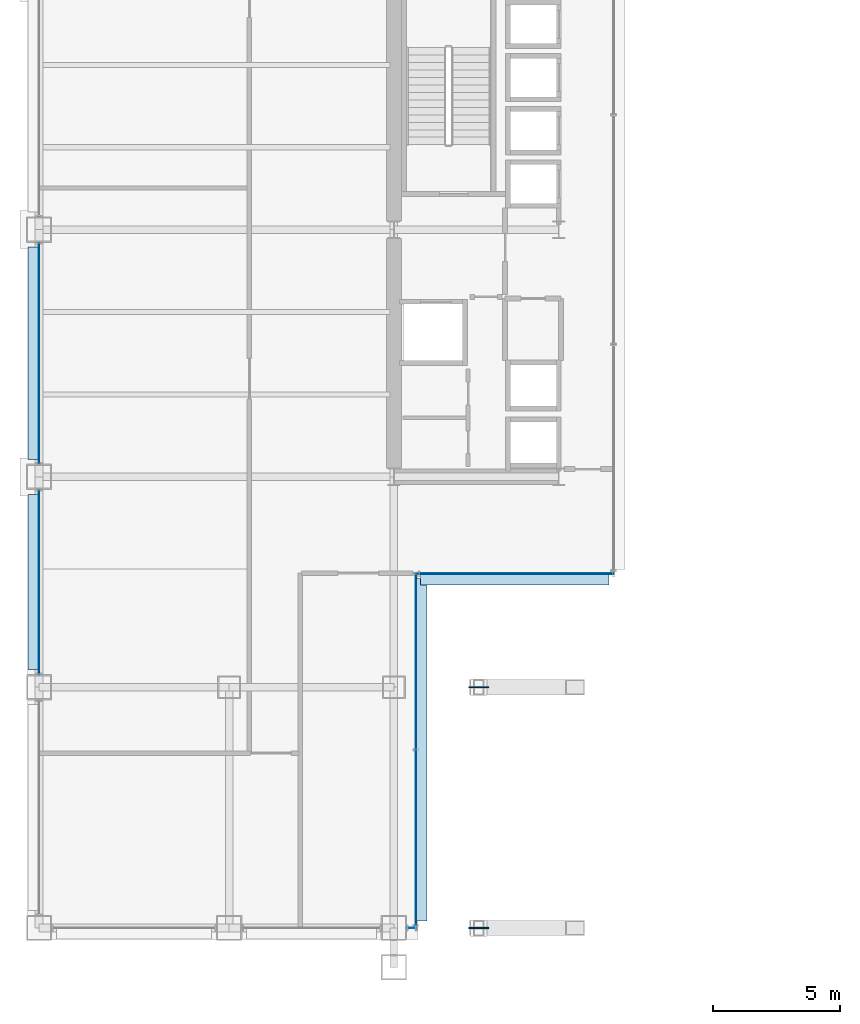
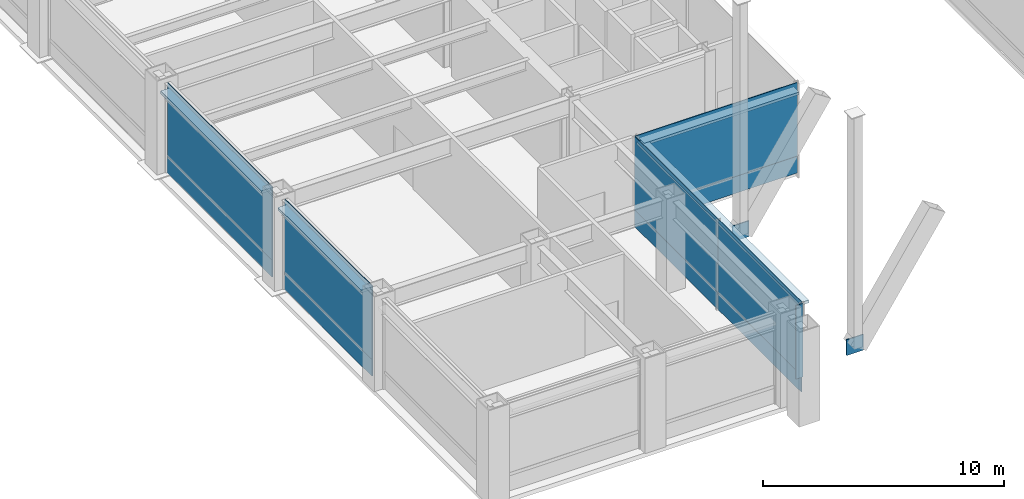
# One storey, part 27 of 40: 17 plates, 5 elements without a shape of their own.
"""IFC4 building model written with IfcOpenShell, lengths in metres."""

from ifc_helpers import new_model, si_unit, direction, frame, origin, origin_2d, place, context, subcontext, project, spatial, rectangle, extrude, material, layer, layer_set, type_object, element, aggregate, save


model = new_model("IFC4")

# Units and contexts
model_context = context("Model", 3, precision=1e-05, world=origin(), true_north=direction((0.0, 1.0)))
body_context = subcontext(model_context, "Body", "Model", "MODEL_VIEW")
ifc_project = project(units=[si_unit("LENGTHUNIT", "METRE"), si_unit("AREAUNIT", "SQUARE_METRE"), si_unit("VOLUMEUNIT", "CUBIC_METRE"), si_unit("PLANEANGLEUNIT", "RADIAN"), si_unit("MASSUNIT", "GRAM", prefix="KILO")], contexts=[model_context])

# Site, building, storey
site_placement = place(None, origin())
site = spatial("IfcSite", under=ifc_project, at=site_placement, CompositionType="ELEMENT")
building_placement = place(site_placement, origin())
building = spatial("IfcBuilding", under=site, at=building_placement, Name="Brelmoor Portico Tower", CompositionType="ELEMENT")
storey_placement = place(building_placement, frame((0.0, 0.0, 4.800048828125)))
storey = spatial("IfcBuildingStorey", under=building, at=storey_placement, Name="L01", CompositionType="ELEMENT", Elevation=4.800048828125)

# Curtain wall, plate
ifc_material_1 = material(Name="Anodised Aluminium Alloy 6063-T6", Category="aluminium")
ifc_layer_1 = layer(ifc_material_1, 0.179931640625)
ifc_layer_set_1 = layer_set([ifc_layer_1], Name="Anodised Aluminium Alloy 6063-T6")
curtain_wall_type = type_object("IfcCurtainWallType", Name="CW-PODIUM-ARCH", PredefinedType="NOTDEFINED", material=ifc_layer_set_1)
curtain_wall_1_placement = place(storey_placement, origin())
curtain_wall_1 = element("IfcCurtainWall", 1, at=curtain_wall_1_placement, inside=storey, type_object=curtain_wall_type, Name="L01 Curtain Wall CW-L01-01-3", PredefinedType="NOTDEFINED")
ifc_material_2 = material(Name="Double-Silver Low-E Insulated Glazing", Category="glass")
ifc_layer_2 = layer(ifc_material_2, 0.035888671875)
ifc_layer_set_2 = layer_set([ifc_layer_2], Name="Double-Silver Low-E Insulated Glazing")
plate_type_1 = type_object("IfcPlateType", Name="PT-CW-GLASS", PredefinedType="CURTAIN_PANEL", material=ifc_layer_set_2)
plate_1_placement = place(storey_placement, frame((-13.860107421875, -27.550048828125, 0.849853515625), z_axis=(0.0, 0.0, 1.0), x_axis=(1.0, 0.0, 0.0)))
plate_1 = element("IfcPlate", 2, at=plate_1_placement, type_object=plate_type_1, Name="CW-L01-01-3 Vision Glass Panel 00", PredefinedType="CURTAIN_PANEL", context=body_context, shape_type="SweptSolid", body=[
    extrude(rectangle(XDim=0.330078125, YDim=0.035888671875, at=origin_2d()), origin(), (0.0, 0.0, 1.0), 3.72998046875),
])
aggregate(curtain_wall_1, [plate_1])

curtain_wall_2_placement = place(storey_placement, origin())
curtain_wall_2 = element("IfcCurtainWall", 3, at=curtain_wall_2_placement, inside=storey, type_object=curtain_wall_type, Name="L01 Curtain Wall CW-L01-05-2", PredefinedType="NOTDEFINED")
plate_2_placement = place(storey_placement, frame((-28.550048828125, -13.89990234375, 0.849853515625), z_axis=(0.0, 0.0, 1.0), x_axis=(0.0, 1.0, 0.0)))
plate_2 = element("IfcPlate", 4, at=plate_2_placement, type_object=plate_type_1, Name="CW-L01-05-2 Vision Glass Panel 00", PredefinedType="CURTAIN_PANEL", context=body_context, shape_type="SweptSolid", body=[
    extrude(rectangle(XDim=7.25, YDim=0.035888671875, at=origin_2d()), origin(), (0.0, 0.0, 1.0), 3.72998046875),
])

curtain_wall_3_placement = place(storey_placement, origin())
curtain_wall_3 = element("IfcCurtainWall", 5, at=curtain_wall_3_placement, inside=storey, type_object=curtain_wall_type, Name="L01 Curtain Wall CW-L01-05-3", PredefinedType="NOTDEFINED")
plate_3_placement = place(storey_placement, frame((-28.550048828125, -4.875, 0.849853515625), z_axis=(0.0, 0.0, 1.0), x_axis=(0.0, 1.0, 0.0)))
plate_3 = element("IfcPlate", 6, at=plate_3_placement, type_object=plate_type_1, Name="CW-L01-05-3 Vision Glass Panel 00", PredefinedType="CURTAIN_PANEL", context=body_context, shape_type="SweptSolid", body=[
    extrude(rectangle(XDim=8.699951171875, YDim=0.035888671875, at=origin_2d()), origin(), (0.0, 0.0, 1.0), 3.72998046875),
])

# Curtain wall, plates
curtain_wall_4_placement = place(storey_placement, origin())
curtain_wall_4 = element("IfcCurtainWall", 7, at=curtain_wall_4_placement, inside=storey, type_object=curtain_wall_type, Name="L01 Curtain Wall CW-L01-07", PredefinedType="NOTDEFINED")
plate_4_placement = place(storey_placement, frame((-13.679931640625, -23.982421875, 0.849853515625), z_axis=(0.0, 0.0, 1.0), x_axis=(0.0, 1.0, 0.0)))
plate_4 = element("IfcPlate", 8, at=plate_4_placement, type_object=plate_type_1, Name="CW-L01-07 Vision Glass Panel 00", PredefinedType="CURTAIN_PANEL", context=body_context, shape_type="SweptSolid", body=[
    extrude(rectangle(XDim=6.905029296875, YDim=0.035888671875, at=origin_2d()), origin(), (0.0, 0.0, 1.0), 3.72998046875),
])
plate_5_placement = place(storey_placement, frame((-13.679931640625, -17.047607421875, 0.849853515625), z_axis=(0.0, 0.0, 1.0), x_axis=(0.0, 1.0, 0.0)))
plate_5 = element("IfcPlate", 9, at=plate_5_placement, type_object=plate_type_1, Name="CW-L01-07 Vision Glass Panel 01", PredefinedType="CURTAIN_PANEL", context=body_context, shape_type="SweptSolid", body=[
    extrude(rectangle(XDim=6.905029296875, YDim=0.035888671875, at=origin_2d()), origin(), (0.0, 0.0, 1.0), 3.72998046875),
])

# Curtain wall, plate
curtain_wall_5_placement = place(storey_placement, origin())
curtain_wall_5 = element("IfcCurtainWall", 10, at=curtain_wall_5_placement, inside=storey, type_object=curtain_wall_type, Name="L01 Curtain Wall CW-L01-11", PredefinedType="NOTDEFINED")
plate_6_placement = place(storey_placement, frame((-9.780029296875, -13.580078125, 0.849853515625), z_axis=(0.0, 0.0, 1.0), x_axis=(1.0, 0.0, 0.0)))
plate_6 = element("IfcPlate", 11, at=plate_6_placement, type_object=plate_type_1, Name="CW-L01-11 Vision Glass Panel 00", PredefinedType="CURTAIN_PANEL", context=body_context, shape_type="SweptSolid", body=[
    extrude(rectangle(XDim=7.77001953125, YDim=0.035888671875, at=origin_2d()), origin(), (0.0, 0.0, 1.0), 3.72998046875),
])

# Plate
ifc_material_3 = material(Name="Pale Champagne Anodised Aluminium Panel", Category="aluminium")
ifc_layer_3 = layer(ifc_material_3, 0.050048828125)
ifc_layer_set_3 = layer_set([ifc_layer_3], Name="Pale Champagne Anodised Aluminium Panel")
plate_type_2 = type_object("IfcPlateType", Name="PT-CW-SPANDREL", PredefinedType="SHEET", material=ifc_layer_set_3)
plate_7_placement = place(storey_placement, frame((-28.550048828125, -13.89990234375, 0.0), z_axis=(0.0, 0.0, 1.0), x_axis=(0.0, 1.0, 0.0)))
plate_7 = element("IfcPlate", 12, at=plate_7_placement, type_object=plate_type_2, Name="CW-L01-05-2 Spandrel Panel 00", PredefinedType="SHEET", context=body_context, shape_type="SweptSolid", body=[
    extrude(rectangle(XDim=7.25, YDim=0.050048828125, at=origin_2d()), origin(), (0.0, 0.0, 1.0), 0.85009765625),
])

aggregate(curtain_wall_2, [plate_7, plate_2])

plate_8_placement = place(storey_placement, frame((-28.550048828125, -4.875, 0.0), z_axis=(0.0, 0.0, 1.0), x_axis=(0.0, 1.0, 0.0)))
plate_8 = element("IfcPlate", 13, at=plate_8_placement, type_object=plate_type_2, Name="CW-L01-05-3 Spandrel Panel 00", PredefinedType="SHEET", context=body_context, shape_type="SweptSolid", body=[
    extrude(rectangle(XDim=8.699951171875, YDim=0.050048828125, at=origin_2d()), origin(), (0.0, 0.0, 1.0), 0.85009765625),
])

aggregate(curtain_wall_3, [plate_8, plate_3])

plate_9_placement = place(storey_placement, frame((-13.679931640625, -23.982421875, 0.0), z_axis=(0.0, 0.0, 1.0), x_axis=(0.0, 1.0, 0.0)))
plate_9 = element("IfcPlate", 14, at=plate_9_placement, type_object=plate_type_2, Name="CW-L01-07 Spandrel Panel 00", PredefinedType="SHEET", context=body_context, shape_type="SweptSolid", body=[
    extrude(rectangle(XDim=6.905029296875, YDim=0.050048828125, at=origin_2d()), origin(), (0.0, 0.0, 1.0), 0.85009765625),
])

plate_10_placement = place(storey_placement, frame((-13.679931640625, -17.047607421875, 0.0), z_axis=(0.0, 0.0, 1.0), x_axis=(0.0, 1.0, 0.0)))
plate_10 = element("IfcPlate", 15, at=plate_10_placement, type_object=plate_type_2, Name="CW-L01-07 Spandrel Panel 01", PredefinedType="SHEET", context=body_context, shape_type="SweptSolid", body=[
    extrude(rectangle(XDim=6.905029296875, YDim=0.050048828125, at=origin_2d()), origin(), (0.0, 0.0, 1.0), 0.85009765625),
])

aggregate(curtain_wall_4, [plate_9, plate_4, plate_10, plate_5])

plate_11_placement = place(storey_placement, frame((-9.780029296875, -13.580078125, 0.0), z_axis=(0.0, 0.0, 1.0), x_axis=(1.0, 0.0, 0.0)))
plate_11 = element("IfcPlate", 16, at=plate_11_placement, type_object=plate_type_2, Name="CW-L01-11 Spandrel Panel 00", PredefinedType="SHEET", context=body_context, shape_type="SweptSolid", body=[
    extrude(rectangle(XDim=7.77001953125, YDim=0.050048828125, at=origin_2d()), origin(), (0.0, 0.0, 1.0), 0.85009765625),
])

aggregate(curtain_wall_5, [plate_11, plate_6])

# Plates
ifc_material_4 = material(Name="Steel Q355B", Category="steel")
ifc_layer_4 = layer(ifc_material_4, 0.050048828125)
ifc_layer_set_4 = layer_set([ifc_layer_4], Name="Steel Q355B")
plate_type_3 = type_object("IfcPlateType", Name="PT-GUSSET-800", PredefinedType="USERDEFINED", material=ifc_layer_set_4)
for number, where, z_axis, x_axis, name in (
    (17, (-11.199951171875, -27.550048828125, 1.19970703125), (0.0, 0.0, 1.0), (1.0, 0.0, 0.0), "Portico Arch Gusset Plate S1-1"),
    (18, (-11.199951171875, -18.050048828125, 1.19970703125), (0.0, 0.0, 1.0), (1.0, 0.0, 0.0), "Portico Arch Gusset Plate S2-1"),
):
    element("IfcPlate", number, at=place(storey_placement, frame(where, z_axis=z_axis, x_axis=x_axis)), inside=storey, type_object=plate_type_3, Name=name, ObjectType="GUSSET PLATE", PredefinedType="USERDEFINED", context=body_context, shape_type="SweptSolid", body=[
        extrude(rectangle(XDim=0.800048828125, YDim=0.050048828125, at=origin_2d()), origin(), (0.0, 0.0, 1.0), 0.800048828125),
    ])
ifc_material_5 = material(Name="Pale Champagne Perforated Aluminium Solar Screen", Category="aluminium")
ifc_layer_5 = layer(ifc_material_5, 0.054931640625)
ifc_layer_set_5 = layer_set([ifc_layer_5], Name="Pale Champagne Perforated Aluminium Solar Screen")
plate_type_4 = type_object("IfcPlateType", Name="PT-SOLAR-LOUVRE", PredefinedType="SHEET", material=ifc_layer_set_5)
plate_12_placement = place(storey_placement, frame((-28.760009765625, -13.89990234375, 4.27001953125), z_axis=(0.0, 0.0, 1.0), x_axis=(0.0, 1.0, 0.0)))
element("IfcPlate", 19, at=plate_12_placement, inside=storey, type_object=plate_type_4, Name="CW-L01-05-2 Caribbean Brise-Soleil Solar Screen", PredefinedType="SHEET", context=body_context, shape_type="SweptSolid", body=[
    extrude(rectangle(XDim=6.919921875, YDim=0.4599609375, at=origin_2d()), origin(), (0.0, 0.0, 1.0), 0.139892578125),
])
plate_13_placement = place(storey_placement, frame((-28.760009765625, -4.875, 4.27001953125), z_axis=(0.0, 0.0, 1.0), x_axis=(0.0, 1.0, 0.0)))
element("IfcPlate", 20, at=plate_13_placement, inside=storey, type_object=plate_type_4, Name="CW-L01-05-3 Caribbean Brise-Soleil Solar Screen", PredefinedType="SHEET", context=body_context, shape_type="SweptSolid", body=[
    extrude(rectangle(XDim=8.3701171875, YDim=0.4599609375, at=origin_2d()), origin(), (0.0, 0.0, 1.0), 0.139892578125),
])
plate_14_placement = place(storey_placement, frame((-13.469970703125, -20.514892578125, 4.27001953125), z_axis=(0.0, 0.0, 1.0), x_axis=(0.0, 1.0, 0.0)))
element("IfcPlate", 21, at=plate_14_placement, inside=storey, type_object=plate_type_4, Name="CW-L01-07 Caribbean Brise-Soleil Solar Screen", PredefinedType="SHEET", context=body_context, shape_type="SweptSolid", body=[
    extrude(rectangle(XDim=13.510009765625, YDim=0.4599609375, at=origin_2d()), origin(), (0.0, 0.0, 1.0), 0.139892578125),
])
plate_15_placement = place(storey_placement, frame((-9.780029296875, -13.7900390625, 4.27001953125), z_axis=(0.0, 0.0, 1.0), x_axis=(1.0, 0.0, 0.0)))
element("IfcPlate", 22, at=plate_15_placement, inside=storey, type_object=plate_type_4, Name="CW-L01-11 Caribbean Brise-Soleil Solar Screen", PredefinedType="SHEET", context=body_context, shape_type="SweptSolid", body=[
    extrude(rectangle(XDim=7.43994140625, YDim=0.4599609375, at=origin_2d()), origin(), (0.0, 0.0, 1.0), 0.139892578125),
])

save(model, "model.ifc")
